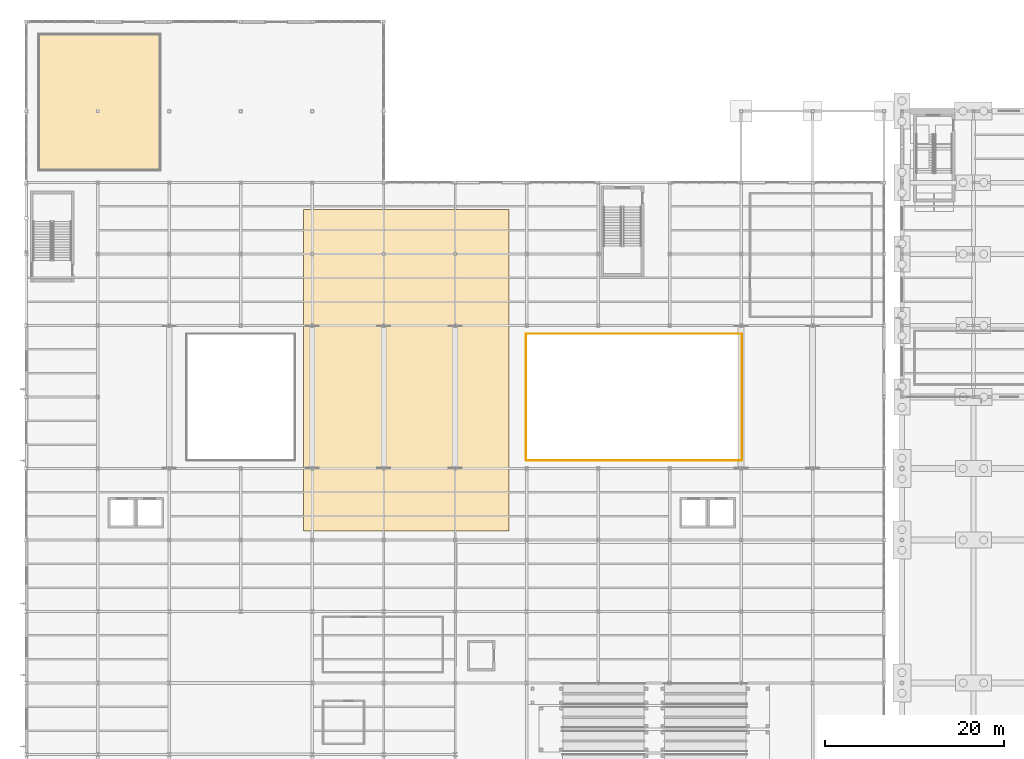
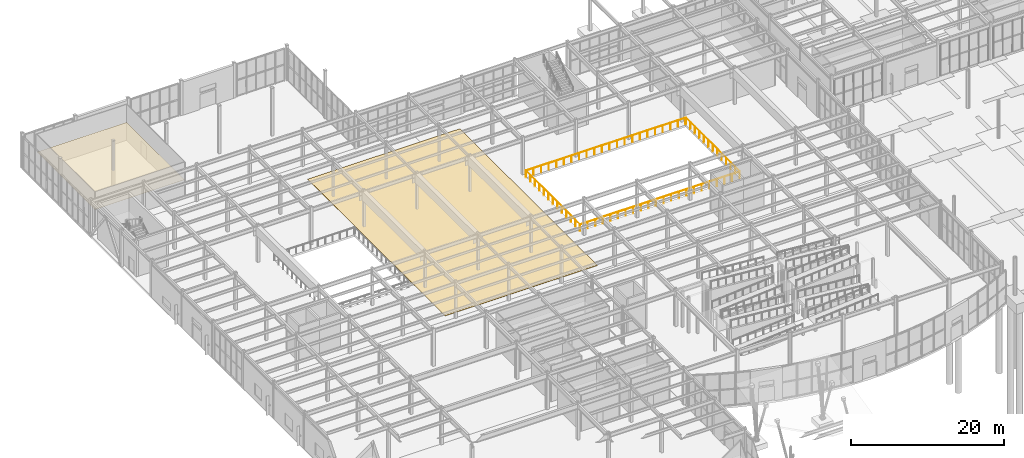
# One storey, part 77 of 82: 4 railings, 2 coverings.
"""IFC4 building model written with IfcOpenShell, lengths in metres."""

from ifc_helpers import new_model, si_unit, direction, frame, origin, origin_2d, place, context, subcontext, project, spatial, polyline, circle, outline, extrude, material, layer, layer_set, type_object, element, save


model = new_model("IFC4")

# Units and contexts
model_context = context("Model", 3, precision=1e-05, world=origin(), true_north=direction((0.0, 1.0)))
body_context = subcontext(model_context, "Body", "Model", "MODEL_VIEW")
ifc_project = project(units=[si_unit("LENGTHUNIT", "METRE"), si_unit("AREAUNIT", "SQUARE_METRE"), si_unit("VOLUMEUNIT", "CUBIC_METRE"), si_unit("PLANEANGLEUNIT", "RADIAN"), si_unit("MASSUNIT", "GRAM", prefix="KILO")], contexts=[model_context])

# Site, building, storey
site_placement = place(None, origin())
site = spatial("IfcSite", under=ifc_project, at=site_placement, CompositionType="ELEMENT")
building_placement = place(site_placement, origin())
building = spatial("IfcBuilding", under=site, at=building_placement, Name="Drelvath Fold Interchange", CompositionType="ELEMENT")
storey_placement = place(building_placement, origin())
storey = spatial("IfcBuildingStorey", under=building, at=storey_placement, Name="L00", CompositionType="ELEMENT", Elevation=0.0)

# Coverings
ifc_material_1 = material(Name="Perforated Aluminium Acoustic Ceiling", Category="aluminium")
ifc_layer_1 = layer(ifc_material_1, 0.01806640625, Name="Perforated Aluminium Acoustic Ceiling")
ifc_layer_set_1 = layer_set([ifc_layer_1], Name="Perforated Aluminium Acoustic Ceiling")
covering_type_1 = type_object("IfcCoveringType", Name="CV-CEIL-AL18", PredefinedType="CEILING", material=ifc_layer_set_1)
covering_1_placement = place(storey_placement, frame((0.0, 0.0, 2.830078125)))
element("IfcCovering", 1, at=covering_1_placement, inside=storey, type_object=covering_type_1, Name="Concourse Espresso Bar and Florist acoustic ceiling", PredefinedType="CEILING", context=body_context, shape_type="SweptSolid", body=[
    extrude(outline(polyline([(5.43994140625, 100.43994140625), (18.9599609375, 100.43994140625), (18.9599609375, 115.56005859375), (5.43994140625, 115.56005859375), (5.43994140625, 100.43994140625)])), origin(), (0.0, 0.0, 1.0), 0.02001953125),
])
ifc_material_2 = material(Name="Honed Granite Transit Terrazzo Flooring", Category="masonry")
ifc_layer_2 = layer(ifc_material_2, 0.02490234375, Name="Honed Granite Transit Terrazzo Flooring")
ifc_layer_set_2 = layer_set([ifc_layer_2], Name="Honed Granite Transit Terrazzo Flooring")
covering_type_2 = type_object("IfcCoveringType", Name="CV-FLR-TRZ25", PredefinedType="FLOORING", material=ifc_layer_set_2)
covering_2_placement = place(storey_placement, origin())
element("IfcCovering", 2, at=covering_2_placement, inside=storey, type_object=covering_type_2, Name="Main concourse honed granite terrazzo floor", PredefinedType="FLOORING", context=body_context, shape_type="SweptSolid", body=[
    extrude(outline(polyline([(35.0, 60.0), (58.0, 60.0), (58.0, 96.0), (35.0, 96.0), (35.0, 60.0)])), origin(), (0.0, 0.0, 1.0), 0.02490234375),
])

# Railings
ifc_material_3 = material(Name="Stainless Steel 316L", Category="steel")
railing_type = type_object("IfcRailingType", Name="RL-BAL1120", PredefinedType="BALUSTRADE", material=ifc_material_3)
railing_1_placement = place(storey_placement, frame((59.949951171875, 67.919921875, 0.0)))
element("IfcRailing", 3, at=railing_1_placement, inside=storey, type_object=railing_type, Name="L00 atrium overlook balustrade 3 (S)", PredefinedType="BALUSTRADE", context=body_context, shape_type="SweptSolid", body=[
    extrude(circle(Radius=0.02392578125, at=origin_2d()), frame((0.0, 0.0, 1.09619140625), z_axis=(1.0, 0.0, 0.0), x_axis=(0.0, 1.0, 0.0)), (0.0, 0.0, 1.0), 24.10009765625),
    extrude(circle(Radius=0.02099609375, at=origin_2d()), origin(), (0.0, 0.0, 1.0), 1.072021484375),
    extrude(circle(Radius=0.02099609375, at=origin_2d()), frame((1.147705078125, 0.0, 0.0)), (0.0, 0.0, 1.0), 1.072021484375),
    extrude(circle(Radius=0.02099609375, at=origin_2d()), frame((2.295166015625, 0.0, 0.0)), (0.0, 0.0, 1.0), 1.072021484375),
    extrude(circle(Radius=0.02099609375, at=origin_2d()), frame((3.44287109375, 0.0, 0.0)), (0.0, 0.0, 1.0), 1.072021484375),
    extrude(circle(Radius=0.02099609375, at=origin_2d()), frame((4.590576171875, 0.0, 0.0)), (0.0, 0.0, 1.0), 1.072021484375),
    extrude(circle(Radius=0.02099609375, at=origin_2d()), frame((5.738037109375, 0.0, 0.0)), (0.0, 0.0, 1.0), 1.072021484375),
    extrude(circle(Radius=0.02099609375, at=origin_2d()), frame((6.8857421875, 0.0, 0.0)), (0.0, 0.0, 1.0), 1.072021484375),
    extrude(circle(Radius=0.02099609375, at=origin_2d()), frame((8.033447265625, 0.0, 0.0)), (0.0, 0.0, 1.0), 1.072021484375),
    extrude(circle(Radius=0.02099609375, at=origin_2d()), frame((9.180908203125, 0.0, 0.0)), (0.0, 0.0, 1.0), 1.072021484375),
    extrude(circle(Radius=0.02099609375, at=origin_2d()), frame((10.32861328125, 0.0, 0.0)), (0.0, 0.0, 1.0), 1.072021484375),
    extrude(circle(Radius=0.02099609375, at=origin_2d()), frame((11.476318359375, 0.0, 0.0)), (0.0, 0.0, 1.0), 1.072021484375),
    extrude(circle(Radius=0.02099609375, at=origin_2d()), frame((12.623779296875, 0.0, 0.0)), (0.0, 0.0, 1.0), 1.072021484375),
    extrude(circle(Radius=0.02099609375, at=origin_2d()), frame((13.771484375, 0.0, 0.0)), (0.0, 0.0, 1.0), 1.072021484375),
    extrude(circle(Radius=0.02099609375, at=origin_2d()), frame((14.919189453125, 0.0, 0.0)), (0.0, 0.0, 1.0), 1.072021484375),
    extrude(circle(Radius=0.02099609375, at=origin_2d()), frame((16.066650390625, 0.0, 0.0)), (0.0, 0.0, 1.0), 1.072021484375),
    extrude(circle(Radius=0.02099609375, at=origin_2d()), frame((17.21435546875, 0.0, 0.0)), (0.0, 0.0, 1.0), 1.072021484375),
    extrude(circle(Radius=0.02099609375, at=origin_2d()), frame((18.362060546875, 0.0, 0.0)), (0.0, 0.0, 1.0), 1.072021484375),
    extrude(circle(Radius=0.02099609375, at=origin_2d()), frame((19.509521484375, 0.0, 0.0)), (0.0, 0.0, 1.0), 1.072021484375),
    extrude(circle(Radius=0.02099609375, at=origin_2d()), frame((20.6572265625, 0.0, 0.0)), (0.0, 0.0, 1.0), 1.072021484375),
    extrude(circle(Radius=0.02099609375, at=origin_2d()), frame((21.804931640625, 0.0, 0.0)), (0.0, 0.0, 1.0), 1.072021484375),
    extrude(circle(Radius=0.02099609375, at=origin_2d()), frame((22.952392578125, 0.0, 0.0)), (0.0, 0.0, 1.0), 1.072021484375),
    extrude(circle(Radius=0.02099609375, at=origin_2d()), frame((24.10009765625, 0.0, 0.0)), (0.0, 0.0, 1.0), 1.072021484375),
])
railing_2_placement = place(storey_placement, frame((84.080078125, 67.949951171875, 0.0)))
element("IfcRailing", 4, at=railing_2_placement, inside=storey, type_object=railing_type, Name="L00 atrium overlook balustrade 3 (E)", PredefinedType="BALUSTRADE", context=body_context, shape_type="SweptSolid", body=[
    extrude(circle(Radius=0.02392578125, at=origin_2d()), frame((0.0, 0.0, 1.09619140625), z_axis=(0.0, 1.0, 0.0), x_axis=(-1.0, 0.0, 0.0)), (0.0, 0.0, 1.0), 14.10009765625),
    extrude(circle(Radius=0.02099609375, at=origin_2d()), origin(), (0.0, 0.0, 1.0), 1.072021484375),
    extrude(circle(Radius=0.02099609375, at=origin_2d()), frame((0.0, 1.175048828125, 0.0)), (0.0, 0.0, 1.0), 1.072021484375),
    extrude(circle(Radius=0.02099609375, at=origin_2d()), frame((0.0, 2.35009765625, 0.0)), (0.0, 0.0, 1.0), 1.072021484375),
    extrude(circle(Radius=0.02099609375, at=origin_2d()), frame((0.0, 3.52490234375, 0.0)), (0.0, 0.0, 1.0), 1.072021484375),
    extrude(circle(Radius=0.02099609375, at=origin_2d()), frame((0.0, 4.699951171875, 0.0)), (0.0, 0.0, 1.0), 1.072021484375),
    extrude(circle(Radius=0.02099609375, at=origin_2d()), frame((0.0, 5.875, 0.0)), (0.0, 0.0, 1.0), 1.072021484375),
    extrude(circle(Radius=0.02099609375, at=origin_2d()), frame((0.0, 7.050048828125, 0.0)), (0.0, 0.0, 1.0), 1.072021484375),
    extrude(circle(Radius=0.02099609375, at=origin_2d()), frame((0.0, 8.22509765625, 0.0)), (0.0, 0.0, 1.0), 1.072021484375),
    extrude(circle(Radius=0.02099609375, at=origin_2d()), frame((0.0, 9.400146484375, 0.0)), (0.0, 0.0, 1.0), 1.072021484375),
    extrude(circle(Radius=0.02099609375, at=origin_2d()), frame((0.0, 10.5751953125, 0.0)), (0.0, 0.0, 1.0), 1.072021484375),
    extrude(circle(Radius=0.02099609375, at=origin_2d()), frame((0.0, 11.75, 0.0)), (0.0, 0.0, 1.0), 1.072021484375),
    extrude(circle(Radius=0.02099609375, at=origin_2d()), frame((0.0, 12.925048828125, 0.0)), (0.0, 0.0, 1.0), 1.072021484375),
    extrude(circle(Radius=0.02099609375, at=origin_2d()), frame((0.0, 14.10009765625, 0.0)), (0.0, 0.0, 1.0), 1.072021484375),
])
railing_3_placement = place(storey_placement, frame((84.050048828125, 82.080078125, 0.0)))
element("IfcRailing", 5, at=railing_3_placement, inside=storey, type_object=railing_type, Name="L00 atrium overlook balustrade 3 (N)", PredefinedType="BALUSTRADE", context=body_context, shape_type="SweptSolid", body=[
    extrude(circle(Radius=0.02392578125, at=origin_2d()), frame((0.0, 0.0, 1.09619140625), z_axis=(-1.0, 0.0, 0.0), x_axis=(0.0, -1.0, 0.0)), (0.0, 0.0, 1.0), 24.10009765625),
    extrude(circle(Radius=0.02099609375, at=origin_2d()), origin(), (0.0, 0.0, 1.0), 1.072021484375),
    extrude(circle(Radius=0.02099609375, at=origin_2d()), frame((-1.147705078125, 0.0, 0.0)), (0.0, 0.0, 1.0), 1.072021484375),
    extrude(circle(Radius=0.02099609375, at=origin_2d()), frame((-2.295166015625, 0.0, 0.0)), (0.0, 0.0, 1.0), 1.072021484375),
    extrude(circle(Radius=0.02099609375, at=origin_2d()), frame((-3.44287109375, 0.0, 0.0)), (0.0, 0.0, 1.0), 1.072021484375),
    extrude(circle(Radius=0.02099609375, at=origin_2d()), frame((-4.590576171875, 0.0, 0.0)), (0.0, 0.0, 1.0), 1.072021484375),
    extrude(circle(Radius=0.02099609375, at=origin_2d()), frame((-5.738037109375, 0.0, 0.0)), (0.0, 0.0, 1.0), 1.072021484375),
    extrude(circle(Radius=0.02099609375, at=origin_2d()), frame((-6.8857421875, 0.0, 0.0)), (0.0, 0.0, 1.0), 1.072021484375),
    extrude(circle(Radius=0.02099609375, at=origin_2d()), frame((-8.033447265625, 0.0, 0.0)), (0.0, 0.0, 1.0), 1.072021484375),
    extrude(circle(Radius=0.02099609375, at=origin_2d()), frame((-9.180908203125, 0.0, 0.0)), (0.0, 0.0, 1.0), 1.072021484375),
    extrude(circle(Radius=0.02099609375, at=origin_2d()), frame((-10.32861328125, 0.0, 0.0)), (0.0, 0.0, 1.0), 1.072021484375),
    extrude(circle(Radius=0.02099609375, at=origin_2d()), frame((-11.476318359375, 0.0, 0.0)), (0.0, 0.0, 1.0), 1.072021484375),
    extrude(circle(Radius=0.02099609375, at=origin_2d()), frame((-12.623779296875, 0.0, 0.0)), (0.0, 0.0, 1.0), 1.072021484375),
    extrude(circle(Radius=0.02099609375, at=origin_2d()), frame((-13.771484375, 0.0, 0.0)), (0.0, 0.0, 1.0), 1.072021484375),
    extrude(circle(Radius=0.02099609375, at=origin_2d()), frame((-14.919189453125, 0.0, 0.0)), (0.0, 0.0, 1.0), 1.072021484375),
    extrude(circle(Radius=0.02099609375, at=origin_2d()), frame((-16.066650390625, 0.0, 0.0)), (0.0, 0.0, 1.0), 1.072021484375),
    extrude(circle(Radius=0.02099609375, at=origin_2d()), frame((-17.21435546875, 0.0, 0.0)), (0.0, 0.0, 1.0), 1.072021484375),
    extrude(circle(Radius=0.02099609375, at=origin_2d()), frame((-18.362060546875, 0.0, 0.0)), (0.0, 0.0, 1.0), 1.072021484375),
    extrude(circle(Radius=0.02099609375, at=origin_2d()), frame((-19.509521484375, 0.0, 0.0)), (0.0, 0.0, 1.0), 1.072021484375),
    extrude(circle(Radius=0.02099609375, at=origin_2d()), frame((-20.6572265625, 0.0, 0.0)), (0.0, 0.0, 1.0), 1.072021484375),
    extrude(circle(Radius=0.02099609375, at=origin_2d()), frame((-21.804931640625, 0.0, 0.0)), (0.0, 0.0, 1.0), 1.072021484375),
    extrude(circle(Radius=0.02099609375, at=origin_2d()), frame((-22.952392578125, 0.0, 0.0)), (0.0, 0.0, 1.0), 1.072021484375),
    extrude(circle(Radius=0.02099609375, at=origin_2d()), frame((-24.10009765625, 0.0, 0.0)), (0.0, 0.0, 1.0), 1.072021484375),
])
railing_4_placement = place(storey_placement, frame((59.919921875, 82.050048828125, 0.0)))
element("IfcRailing", 6, at=railing_4_placement, inside=storey, type_object=railing_type, Name="L00 atrium overlook balustrade 3 (W)", PredefinedType="BALUSTRADE", context=body_context, shape_type="SweptSolid", body=[
    extrude(circle(Radius=0.02392578125, at=origin_2d()), frame((0.0, 0.0, 1.09619140625), z_axis=(0.0, -1.0, 0.0), x_axis=(1.0, 0.0, 0.0)), (0.0, 0.0, 1.0), 14.10009765625),
    extrude(circle(Radius=0.02099609375, at=origin_2d()), origin(), (0.0, 0.0, 1.0), 1.072021484375),
    extrude(circle(Radius=0.02099609375, at=origin_2d()), frame((0.0, -1.175048828125, 0.0)), (0.0, 0.0, 1.0), 1.072021484375),
    extrude(circle(Radius=0.02099609375, at=origin_2d()), frame((0.0, -2.35009765625, 0.0)), (0.0, 0.0, 1.0), 1.072021484375),
    extrude(circle(Radius=0.02099609375, at=origin_2d()), frame((0.0, -3.52490234375, 0.0)), (0.0, 0.0, 1.0), 1.072021484375),
    extrude(circle(Radius=0.02099609375, at=origin_2d()), frame((0.0, -4.699951171875, 0.0)), (0.0, 0.0, 1.0), 1.072021484375),
    extrude(circle(Radius=0.02099609375, at=origin_2d()), frame((0.0, -5.875, 0.0)), (0.0, 0.0, 1.0), 1.072021484375),
    extrude(circle(Radius=0.02099609375, at=origin_2d()), frame((0.0, -7.050048828125, 0.0)), (0.0, 0.0, 1.0), 1.072021484375),
    extrude(circle(Radius=0.02099609375, at=origin_2d()), frame((0.0, -8.22509765625, 0.0)), (0.0, 0.0, 1.0), 1.072021484375),
    extrude(circle(Radius=0.02099609375, at=origin_2d()), frame((0.0, -9.400146484375, 0.0)), (0.0, 0.0, 1.0), 1.072021484375),
    extrude(circle(Radius=0.02099609375, at=origin_2d()), frame((0.0, -10.5751953125, 0.0)), (0.0, 0.0, 1.0), 1.072021484375),
    extrude(circle(Radius=0.02099609375, at=origin_2d()), frame((0.0, -11.75, 0.0)), (0.0, 0.0, 1.0), 1.072021484375),
    extrude(circle(Radius=0.02099609375, at=origin_2d()), frame((0.0, -12.925048828125, 0.0)), (0.0, 0.0, 1.0), 1.072021484375),
    extrude(circle(Radius=0.02099609375, at=origin_2d()), frame((0.0, -14.10009765625, 0.0)), (0.0, 0.0, 1.0), 1.072021484375),
])

save(model, "model.ifc")
